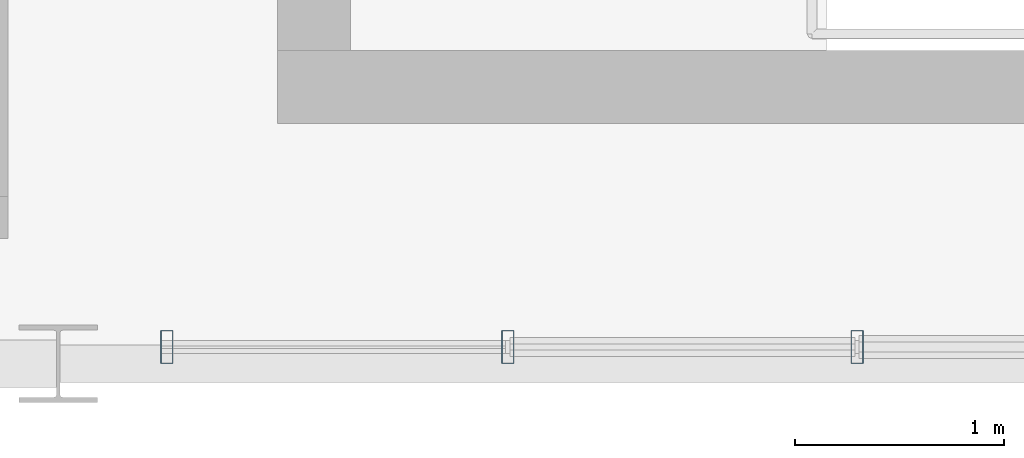
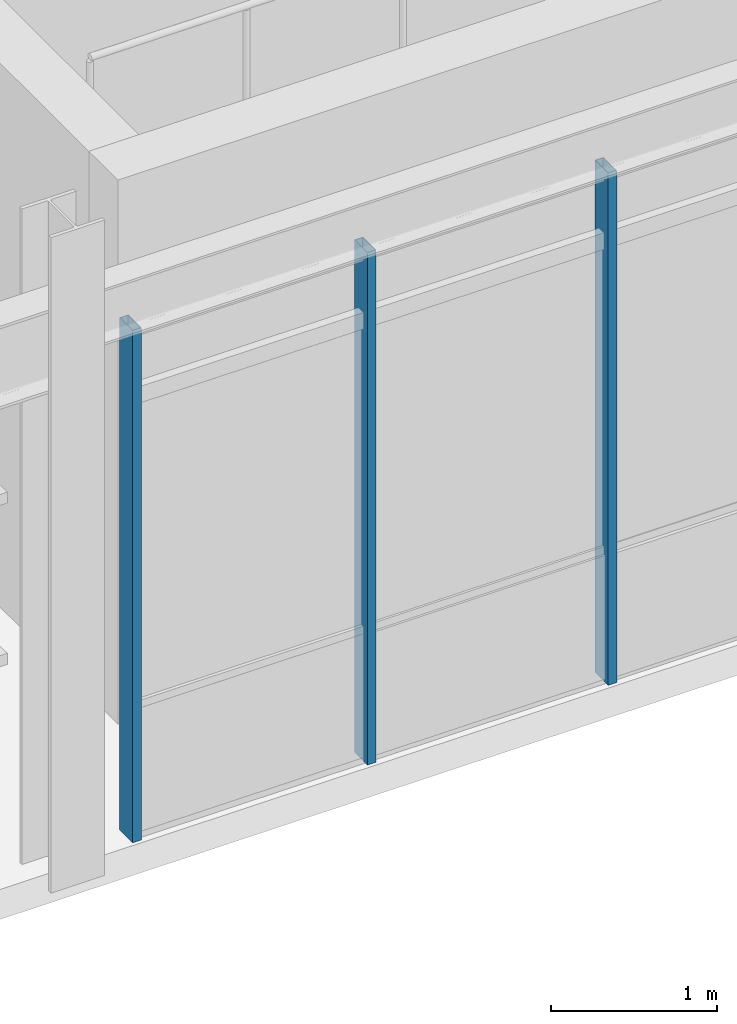
# One storey, part 19 of 56: 3 members, 1 element without a shape of its own.
"""IFC4 building model written with IfcOpenShell, lengths in metres."""

from ifc_helpers import new_model, si_unit, direction, frame, origin, origin_2d, place, context, subcontext, project, spatial, hollow_rectangle, extrude, material, material_profile, profile_set, type_object, element, aggregate, save


model = new_model("IFC4")

# Units and contexts
model_context = context("Model", 3, precision=1e-05, world=origin(), true_north=direction((0.0, 1.0)))
body_context = subcontext(model_context, "Body", "Model", "MODEL_VIEW")
ifc_project = project(units=[si_unit("LENGTHUNIT", "METRE"), si_unit("AREAUNIT", "SQUARE_METRE"), si_unit("VOLUMEUNIT", "CUBIC_METRE"), si_unit("PLANEANGLEUNIT", "RADIAN"), si_unit("MASSUNIT", "GRAM", prefix="KILO"), si_unit("THERMODYNAMICTEMPERATUREUNIT", "KELVIN"), si_unit("POWERUNIT", "WATT")], contexts=[model_context])

# Site, building, storey
site_placement = place(None, origin())
site = spatial("IfcSite", under=ifc_project, at=site_placement, CompositionType="ELEMENT")
building_placement = place(site_placement, origin())
building = spatial("IfcBuilding", under=site, at=building_placement, Name="Tepalcoro Natatorium and Aquatics Centre", CompositionType="ELEMENT")
storey_placement = place(building_placement, frame((0.0, 0.0, 14.800048828125)))
storey = spatial("IfcBuildingStorey", under=building, at=storey_placement, Name="L03", CompositionType="ELEMENT", Elevation=14.800048828125)

# Curtain wall, members
ifc_material = material(Name="Bronze-Anodised Extruded Aluminium Alloy EN AW-6063 T6", Category="aluminium")
curtain_wall_type = type_object("IfcCurtainWallType", Name="CW_V5_LOWER", PredefinedType="USERDEFINED", material=ifc_material)
curtain_wall_placement = place(storey_placement, origin())
curtain_wall = element("IfcCurtainWall", 1, at=curtain_wall_placement, inside=storey, type_object=curtain_wall_type, Name="V2 L03 S Unitised Curtain Wall Bay 4", ObjectType="UNITISED STOREFRONT", PredefinedType="USERDEFINED")
ifc_material_profile = material_profile(ifc_material, hollow_rectangle(XDim=0.06005859375, YDim=0.159912109375, WallThickness=0.00390625, at=origin_2d()), Name="AL60X160X4")
ifc_profile_set = profile_set([ifc_material_profile], Name="Bronze-Anodised Extruded Aluminium Alloy EN AW-6063 T6")
member_type = type_object("IfcMemberType", Name="CW_MUL_60x160", PredefinedType="MULLION", material=ifc_profile_set)
member_1_placement = place(storey_placement, frame((165.52001953125, 6.580078125, 0.02001953125), z_axis=(0.0, 0.0, 1.0), x_axis=(1.0, 0.0, 0.0)))
member_1 = element("IfcMember", 2, at=member_1_placement, type_object=member_type, Name="CW_V5_LOWER Curtain Wall Mullion", PredefinedType="MULLION", context=body_context, shape_type="SweptSolid", body=[
    extrude(hollow_rectangle(XDim=0.06005859375, YDim=0.159912109375, WallThickness=0.00390625, at=origin_2d()), origin(), (0.0, 0.0, 1.0), 3.766845703125),
])
member_2_placement = place(storey_placement, frame((167.1533203125, 6.580078125, 0.02001953125), z_axis=(0.0, 0.0, 1.0), x_axis=(1.0, 0.0, 0.0)))
member_2 = element("IfcMember", 3, at=member_2_placement, type_object=member_type, Name="CW_V5_LOWER Curtain Wall Mullion", PredefinedType="MULLION", context=body_context, shape_type="SweptSolid", body=[
    extrude(hollow_rectangle(XDim=0.06005859375, YDim=0.159912109375, WallThickness=0.00390625, at=origin_2d()), origin(), (0.0, 0.0, 1.0), 3.766845703125),
])
member_3_placement = place(storey_placement, frame((168.82666015625, 6.580078125, 0.02001953125), z_axis=(0.0, 0.0, 1.0), x_axis=(1.0, 0.0, 0.0)))
member_3 = element("IfcMember", 4, at=member_3_placement, type_object=member_type, Name="CW_V5_LOWER Curtain Wall Mullion", PredefinedType="MULLION", context=body_context, shape_type="SweptSolid", body=[
    extrude(hollow_rectangle(XDim=0.06005859375, YDim=0.159912109375, WallThickness=0.00390625, at=origin_2d()), origin(), (0.0, 0.0, 1.0), 3.766845703125),
])
aggregate(curtain_wall, [member_1, member_2, member_3])

save(model, "model.ifc")
